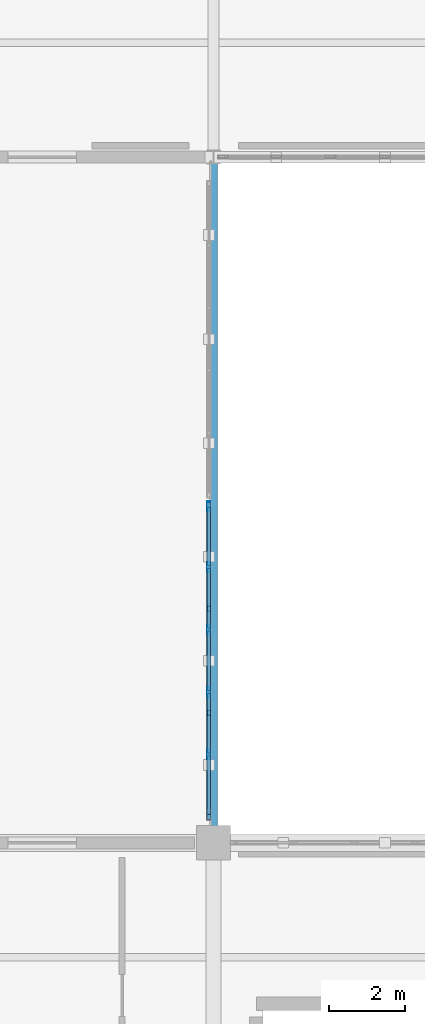
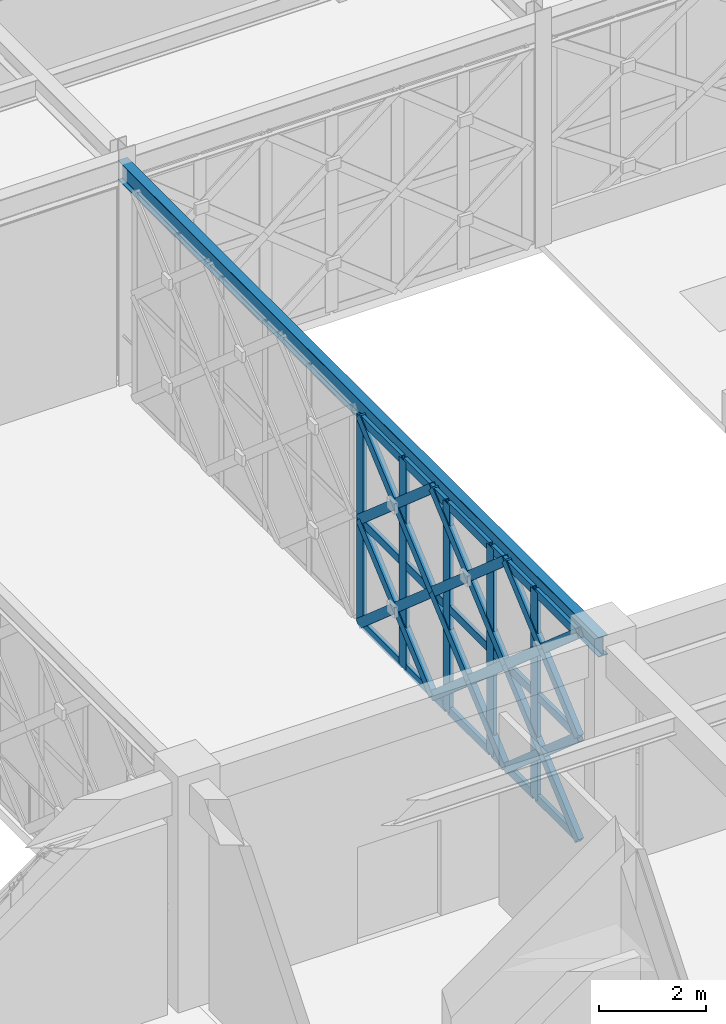
# One storey, part 108 of 166: 38 members, 1 beam, 1 element without a shape of its own.
"""IFC4 building model written with IfcOpenShell, lengths in metres."""

from ifc_helpers import new_model, si_unit, direction, frame, origin, origin_2d, place, context, subcontext, project, spatial, hollow_rectangle, i_section, extrude, material, material_profile, profile_set, type_object, element, aggregate, save


model = new_model("IFC4")

# Units and contexts
model_context = context("Model", 3, precision=1e-05, world=origin(), true_north=direction((0.0, 1.0)))
body_context = subcontext(model_context, "Body", "Model", "MODEL_VIEW")
ifc_project = project(units=[si_unit("LENGTHUNIT", "METRE"), si_unit("AREAUNIT", "SQUARE_METRE"), si_unit("VOLUMEUNIT", "CUBIC_METRE"), si_unit("PLANEANGLEUNIT", "RADIAN"), si_unit("MASSUNIT", "GRAM", prefix="KILO")], contexts=[model_context])

# Site, building, storey
site_placement = place(None, origin())
site = spatial("IfcSite", under=ifc_project, at=site_placement, CompositionType="ELEMENT")
building_placement = place(site_placement, origin())
building = spatial("IfcBuilding", under=site, at=building_placement, Name="Haizhuo Lancet Aquarium", CompositionType="ELEMENT")
storey_placement = place(building_placement, frame((0.0, 0.0, 5.39990234375)))
storey = spatial("IfcBuildingStorey", under=building, at=storey_placement, Name="L01", CompositionType="ELEMENT", Elevation=5.39990234375)

# Curtain wall, members
ifc_material_1 = material(Name="Aluminium 6063-T6", Category="aluminium")
curtain_wall_type = type_object("IfcCurtainWallType", Name="CWO-8200x4750", PredefinedType="NOTDEFINED", material=ifc_material_1)
curtain_wall_placement = place(storey_placement, origin())
curtain_wall = element("IfcCurtainWall", 1, at=curtain_wall_placement, inside=storey, type_object=curtain_wall_type, Name="L01 curtain wall CW-SB-02-E1", PredefinedType="NOTDEFINED")
ifc_material_profile_1 = material_profile(ifc_material_1, hollow_rectangle(XDim=0.080078125, YDim=0.260009765625, WallThickness=0.0048828125, at=origin_2d()), Name="ALU-M 80x260x5")
ifc_profile_set_1 = profile_set([ifc_material_profile_1], Name="Aluminium 6063-T6")
member_type_1 = type_object("IfcMemberType", Name="CW-MUL-3", PredefinedType="MULLION", material=ifc_profile_set_1)
member_1_placement = place(storey_placement, frame((62.8798828125, -0.159912109375, 0.0), z_axis=(0.0, 0.0, 1.0), x_axis=(1.0, 0.0, 0.0)))
member_1 = element("IfcMember", 2, at=member_1_placement, type_object=member_type_1, Name="CWO-82x47 mullion 1", PredefinedType="MULLION", context=body_context, shape_type="SweptSolid", body=[
    extrude(hollow_rectangle(XDim=0.080078125, YDim=0.260009765625, WallThickness=0.0048828125, at=origin_2d()), origin(), (0.0, 0.0, 1.0), 4.75),
])
member_2_placement = place(storey_placement, frame((62.8798828125, -1.760009765625, 0.0), z_axis=(0.0, 0.0, 1.0), x_axis=(1.0, 0.0, 0.0)))
member_2 = element("IfcMember", 3, at=member_2_placement, type_object=member_type_1, Name="CWO-82x47 mullion 2", PredefinedType="MULLION", context=body_context, shape_type="SweptSolid", body=[
    extrude(hollow_rectangle(XDim=0.080078125, YDim=0.260009765625, WallThickness=0.0048828125, at=origin_2d()), origin(), (0.0, 0.0, 1.0), 4.75),
])
member_3_placement = place(storey_placement, frame((62.8798828125, -3.39990234375, 0.0), z_axis=(0.0, 0.0, 1.0), x_axis=(1.0, 0.0, 0.0)))
member_3 = element("IfcMember", 4, at=member_3_placement, type_object=member_type_1, Name="CWO-82x47 mullion 3", PredefinedType="MULLION", context=body_context, shape_type="SweptSolid", body=[
    extrude(hollow_rectangle(XDim=0.080078125, YDim=0.260009765625, WallThickness=0.0048828125, at=origin_2d()), origin(), (0.0, 0.0, 1.0), 4.75),
])
member_4_placement = place(storey_placement, frame((62.8798828125, -5.0400390625, 0.0), z_axis=(0.0, 0.0, 1.0), x_axis=(1.0, 0.0, 0.0)))
member_4 = element("IfcMember", 5, at=member_4_placement, type_object=member_type_1, Name="CWO-82x47 mullion 4", PredefinedType="MULLION", context=body_context, shape_type="SweptSolid", body=[
    extrude(hollow_rectangle(XDim=0.080078125, YDim=0.260009765625, WallThickness=0.0048828125, at=origin_2d()), origin(), (0.0, 0.0, 1.0), 4.75),
])
member_5_placement = place(storey_placement, frame((62.8798828125, -6.679931640625, 0.0), z_axis=(0.0, 0.0, 1.0), x_axis=(1.0, 0.0, 0.0)))
member_5 = element("IfcMember", 6, at=member_5_placement, type_object=member_type_1, Name="CWO-82x47 mullion 5", PredefinedType="MULLION", context=body_context, shape_type="SweptSolid", body=[
    extrude(hollow_rectangle(XDim=0.080078125, YDim=0.260009765625, WallThickness=0.0048828125, at=origin_2d()), origin(), (0.0, 0.0, 1.0), 4.75),
])
ifc_material_profile_2 = material_profile(ifc_material_1, hollow_rectangle(XDim=0.080078125, YDim=0.18994140625, WallThickness=0.0048828125, at=origin_2d()), Name="ALU-T 80x190x5")
ifc_profile_set_2 = profile_set([ifc_material_profile_2], Name="Aluminium 6063-T6")
member_type_2 = type_object("IfcMemberType", Name="CW-TRN-3", PredefinedType="NOTDEFINED", material=ifc_profile_set_2)
member_6_placement = place(storey_placement, frame((62.8798828125, -0.199951171875, 0.0400390625), z_axis=(0.0, -1.0, 0.0), x_axis=(1.0, 0.0, 0.0)))
member_6 = element("IfcMember", 7, at=member_6_placement, type_object=member_type_2, Name="CWO-82x47 transom 1.1", ObjectType="TRANSOM", PredefinedType="USERDEFINED", context=body_context, shape_type="SweptSolid", body=[
    extrude(hollow_rectangle(XDim=0.080078125, YDim=0.18994140625, WallThickness=0.0048828125, at=origin_2d()), origin(), (0.0, 0.0, 1.0), 1.52001953125),
])
member_7_placement = place(storey_placement, frame((62.8798828125, -0.199951171875, 2.375), z_axis=(0.0, -1.0, 0.0), x_axis=(1.0, 0.0, 0.0)))
member_7 = element("IfcMember", 8, at=member_7_placement, type_object=member_type_2, Name="CWO-82x47 transom 1.2", ObjectType="TRANSOM", PredefinedType="USERDEFINED", context=body_context, shape_type="SweptSolid", body=[
    extrude(hollow_rectangle(XDim=0.080078125, YDim=0.18994140625, WallThickness=0.0048828125, at=origin_2d()), origin(), (0.0, 0.0, 1.0), 1.52001953125),
])
member_8_placement = place(storey_placement, frame((62.8798828125, -0.199951171875, 4.710205078125), z_axis=(0.0, -1.0, 0.0), x_axis=(1.0, 0.0, 0.0)))
member_8 = element("IfcMember", 9, at=member_8_placement, type_object=member_type_2, Name="CWO-82x47 transom 1.3", ObjectType="TRANSOM", PredefinedType="USERDEFINED", context=body_context, shape_type="SweptSolid", body=[
    extrude(hollow_rectangle(XDim=0.080078125, YDim=0.18994140625, WallThickness=0.0048828125, at=origin_2d()), origin(), (0.0, 0.0, 1.0), 1.52001953125),
])
member_9_placement = place(storey_placement, frame((62.8798828125, -1.800048828125, 0.0400390625), z_axis=(0.0, -1.0, 0.0), x_axis=(1.0, 0.0, 0.0)))
member_9 = element("IfcMember", 10, at=member_9_placement, type_object=member_type_2, Name="CWO-82x47 transom 2.1", ObjectType="TRANSOM", PredefinedType="USERDEFINED", context=body_context, shape_type="SweptSolid", body=[
    extrude(hollow_rectangle(XDim=0.080078125, YDim=0.18994140625, WallThickness=0.0048828125, at=origin_2d()), origin(), (0.0, 0.0, 1.0), 1.56005859375),
])
member_10_placement = place(storey_placement, frame((62.8798828125, -1.800048828125, 2.375), z_axis=(0.0, -1.0, 0.0), x_axis=(1.0, 0.0, 0.0)))
member_10 = element("IfcMember", 11, at=member_10_placement, type_object=member_type_2, Name="CWO-82x47 transom 2.2", ObjectType="TRANSOM", PredefinedType="USERDEFINED", context=body_context, shape_type="SweptSolid", body=[
    extrude(hollow_rectangle(XDim=0.080078125, YDim=0.18994140625, WallThickness=0.0048828125, at=origin_2d()), origin(), (0.0, 0.0, 1.0), 1.56005859375),
])
member_11_placement = place(storey_placement, frame((62.8798828125, -1.800048828125, 4.710205078125), z_axis=(0.0, -1.0, 0.0), x_axis=(1.0, 0.0, 0.0)))
member_11 = element("IfcMember", 12, at=member_11_placement, type_object=member_type_2, Name="CWO-82x47 transom 2.3", ObjectType="TRANSOM", PredefinedType="USERDEFINED", context=body_context, shape_type="SweptSolid", body=[
    extrude(hollow_rectangle(XDim=0.080078125, YDim=0.18994140625, WallThickness=0.0048828125, at=origin_2d()), origin(), (0.0, 0.0, 1.0), 1.56005859375),
])
member_12_placement = place(storey_placement, frame((62.8798828125, -3.43994140625, 0.0400390625), z_axis=(0.0, -1.0, 0.0), x_axis=(1.0, 0.0, 0.0)))
member_12 = element("IfcMember", 13, at=member_12_placement, type_object=member_type_2, Name="CWO-82x47 transom 3.1", ObjectType="TRANSOM", PredefinedType="USERDEFINED", context=body_context, shape_type="SweptSolid", body=[
    extrude(hollow_rectangle(XDim=0.080078125, YDim=0.18994140625, WallThickness=0.0048828125, at=origin_2d()), origin(), (0.0, 0.0, 1.0), 1.56005859375),
])
member_13_placement = place(storey_placement, frame((62.8798828125, -3.43994140625, 2.375), z_axis=(0.0, -1.0, 0.0), x_axis=(1.0, 0.0, 0.0)))
member_13 = element("IfcMember", 14, at=member_13_placement, type_object=member_type_2, Name="CWO-82x47 transom 3.2", ObjectType="TRANSOM", PredefinedType="USERDEFINED", context=body_context, shape_type="SweptSolid", body=[
    extrude(hollow_rectangle(XDim=0.080078125, YDim=0.18994140625, WallThickness=0.0048828125, at=origin_2d()), origin(), (0.0, 0.0, 1.0), 1.56005859375),
])
member_14_placement = place(storey_placement, frame((62.8798828125, -3.43994140625, 4.710205078125), z_axis=(0.0, -1.0, 0.0), x_axis=(1.0, 0.0, 0.0)))
member_14 = element("IfcMember", 15, at=member_14_placement, type_object=member_type_2, Name="CWO-82x47 transom 3.3", ObjectType="TRANSOM", PredefinedType="USERDEFINED", context=body_context, shape_type="SweptSolid", body=[
    extrude(hollow_rectangle(XDim=0.080078125, YDim=0.18994140625, WallThickness=0.0048828125, at=origin_2d()), origin(), (0.0, 0.0, 1.0), 1.56005859375),
])
member_15_placement = place(storey_placement, frame((62.8798828125, -5.080078125, 0.0400390625), z_axis=(0.0, -1.0, 0.0), x_axis=(1.0, 0.0, 0.0)))
member_15 = element("IfcMember", 16, at=member_15_placement, type_object=member_type_2, Name="CWO-82x47 transom 4.1", ObjectType="TRANSOM", PredefinedType="USERDEFINED", context=body_context, shape_type="SweptSolid", body=[
    extrude(hollow_rectangle(XDim=0.080078125, YDim=0.18994140625, WallThickness=0.0048828125, at=origin_2d()), origin(), (0.0, 0.0, 1.0), 1.559814453125),
])
member_16_placement = place(storey_placement, frame((62.8798828125, -5.080078125, 2.375), z_axis=(0.0, -1.0, 0.0), x_axis=(1.0, 0.0, 0.0)))
member_16 = element("IfcMember", 17, at=member_16_placement, type_object=member_type_2, Name="CWO-82x47 transom 4.2", ObjectType="TRANSOM", PredefinedType="USERDEFINED", context=body_context, shape_type="SweptSolid", body=[
    extrude(hollow_rectangle(XDim=0.080078125, YDim=0.18994140625, WallThickness=0.0048828125, at=origin_2d()), origin(), (0.0, 0.0, 1.0), 1.559814453125),
])
member_17_placement = place(storey_placement, frame((62.8798828125, -5.080078125, 4.710205078125), z_axis=(0.0, -1.0, 0.0), x_axis=(1.0, 0.0, 0.0)))
member_17 = element("IfcMember", 18, at=member_17_placement, type_object=member_type_2, Name="CWO-82x47 transom 4.3", ObjectType="TRANSOM", PredefinedType="USERDEFINED", context=body_context, shape_type="SweptSolid", body=[
    extrude(hollow_rectangle(XDim=0.080078125, YDim=0.18994140625, WallThickness=0.0048828125, at=origin_2d()), origin(), (0.0, 0.0, 1.0), 1.559814453125),
])
member_18_placement = place(storey_placement, frame((62.8798828125, -6.719970703125, 0.0400390625), z_axis=(0.0, -1.0, 0.0), x_axis=(1.0, 0.0, 0.0)))
member_18 = element("IfcMember", 19, at=member_18_placement, type_object=member_type_2, Name="CWO-82x47 transom 5.1", ObjectType="TRANSOM", PredefinedType="USERDEFINED", context=body_context, shape_type="SweptSolid", body=[
    extrude(hollow_rectangle(XDim=0.080078125, YDim=0.18994140625, WallThickness=0.0048828125, at=origin_2d()), origin(), (0.0, 0.0, 1.0), 1.52001953125),
])
member_19_placement = place(storey_placement, frame((62.8798828125, -6.719970703125, 2.375), z_axis=(0.0, -1.0, 0.0), x_axis=(1.0, 0.0, 0.0)))
member_19 = element("IfcMember", 20, at=member_19_placement, type_object=member_type_2, Name="CWO-82x47 transom 5.2", ObjectType="TRANSOM", PredefinedType="USERDEFINED", context=body_context, shape_type="SweptSolid", body=[
    extrude(hollow_rectangle(XDim=0.080078125, YDim=0.18994140625, WallThickness=0.0048828125, at=origin_2d()), origin(), (0.0, 0.0, 1.0), 1.52001953125),
])
member_20_placement = place(storey_placement, frame((62.8798828125, -6.719970703125, 4.710205078125), z_axis=(0.0, -1.0, 0.0), x_axis=(1.0, 0.0, 0.0)))
member_20 = element("IfcMember", 21, at=member_20_placement, type_object=member_type_2, Name="CWO-82x47 transom 5.3", ObjectType="TRANSOM", PredefinedType="USERDEFINED", context=body_context, shape_type="SweptSolid", body=[
    extrude(hollow_rectangle(XDim=0.080078125, YDim=0.18994140625, WallThickness=0.0048828125, at=origin_2d()), origin(), (0.0, 0.0, 1.0), 1.52001953125),
])
aggregate(curtain_wall, [member_1, member_2, member_3, member_4, member_5, member_6, member_7, member_8, member_9, member_10, member_11, member_12, member_13, member_14, member_15, member_16, member_17, member_18, member_19, member_20])

# Beam
ifc_material_2 = material(Name="Steel S355", Category="steel")
ifc_material_profile_3 = material_profile(ifc_material_2, i_section(OverallWidth=0.199951171875, OverallDepth=0.449951171875, WebThickness=0.009033203125, FlangeThickness=0.013916015625, FilletRadius=0.01806640625, at=origin_2d()), Name="HN 450x200x9x14")
ifc_profile_set_3 = profile_set([ifc_material_profile_3], Name="Steel S355")
beam_type = type_object("IfcBeamType", Name="JST-ST-HN450", PredefinedType="JOIST", material=ifc_profile_set_3)
beam_placement = place(storey_placement, frame((63.0, -9.0, 4.815185546875), z_axis=(0.0, 1.0, 0.0), x_axis=(-1.0, 0.0, 0.0)))
element("IfcBeam", 22, at=beam_placement, inside=storey, type_object=beam_type, Name="Bridge roof longitudinal girder SB-02 2", PredefinedType="JOIST", context=body_context, shape_type="SweptSolid", body=[
    extrude(i_section(OverallWidth=0.199951171875, OverallDepth=0.449951171875, WebThickness=0.009033203125, FlangeThickness=0.013916015625, FilletRadius=0.01806640625, at=origin_2d()), origin(), (0.0, 0.0, 1.0), 18.0),
])

# Members
ifc_material_profile_4 = material_profile(ifc_material_2, hollow_rectangle(XDim=0.1201171875, YDim=0.199951171875, WallThickness=0.008056640625, at=origin_2d()), Name="RHS 120x200x8")
ifc_profile_set_4 = profile_set([ifc_material_profile_4], Name="Steel S355")
member_type_3 = type_object("IfcMemberType", Name="MEM-LB-RHS120x200", PredefinedType="BRACE", material=ifc_profile_set_4)
member_21_placement = place(storey_placement, frame((62.8798828125, -0.1201171875, 0.0), z_axis=(0.0, -0.754802912694, 0.655951646837), x_axis=(1.0, 0.0, 0.0)))
element("IfcMember", 23, at=member_21_placement, inside=storey, type_object=member_type_3, Name="Gothic lancet continuous diagonal brace CW-SB-02-E1 1A", PredefinedType="BRACE", context=body_context, shape_type="SweptSolid", body=[
    extrude(hollow_rectangle(XDim=0.1201171875, YDim=0.199951171875, WallThickness=0.008056640625, at=origin_2d()), origin(), (0.0, 0.0, 1.0), 3.62060546875),
])
for number, where, z_axis, x_axis, name in (
    (24, (62.8798828125, -2.85302734375, 0.0), (0.0, 0.754553258905, 0.656238812839), (-1.0, 0.0, 0.0), "Gothic lancet split diagonal brace CW-SB-02-E1 1B1"),
    (25, (62.8798828125, -1.487060546875, 1.18798828125), (0.0, 0.755052443892, 0.655664401179), (-1.0, 0.0, 0.0), "Gothic lancet split diagonal brace CW-SB-02-E1 1B2"),
):
    element("IfcMember", number, at=place(storey_placement, frame(where, z_axis=z_axis, x_axis=x_axis)), inside=storey, type_object=member_type_3, Name=name, PredefinedType="BRACE", context=body_context, shape_type="SweptSolid", body=[
        extrude(hollow_rectangle(XDim=0.1201171875, YDim=0.199951171875, WallThickness=0.008056640625, at=origin_2d()), origin(), (0.0, 0.0, 1.0), 1.810302734375),
    ])
member_22_placement = place(storey_placement, frame((62.8798828125, -0.1201171875, 2.375), z_axis=(0.0, -0.754802912694, 0.655951646837), x_axis=(1.0, 0.0, 0.0)))
element("IfcMember", 26, at=member_22_placement, inside=storey, type_object=member_type_3, Name="Gothic lancet continuous diagonal brace CW-SB-02-E1 2A", PredefinedType="BRACE", context=body_context, shape_type="SweptSolid", body=[
    extrude(hollow_rectangle(XDim=0.1201171875, YDim=0.199951171875, WallThickness=0.008056640625, at=origin_2d()), origin(), (0.0, 0.0, 1.0), 3.62060546875),
])
for number, where, z_axis, x_axis, name in (
    (27, (62.8798828125, -2.85302734375, 2.375), (0.0, 0.754553258905, 0.656238812839), (-1.0, 0.0, 0.0), "Gothic lancet split diagonal brace CW-SB-02-E1 2B1"),
    (28, (62.8798828125, -1.487060546875, 3.56298828125), (0.0, 0.755052443892, 0.655664401179), (-1.0, 0.0, 0.0), "Gothic lancet split diagonal brace CW-SB-02-E1 2B2"),
):
    element("IfcMember", number, at=place(storey_placement, frame(where, z_axis=z_axis, x_axis=x_axis)), inside=storey, type_object=member_type_3, Name=name, PredefinedType="BRACE", context=body_context, shape_type="SweptSolid", body=[
        extrude(hollow_rectangle(XDim=0.1201171875, YDim=0.199951171875, WallThickness=0.008056640625, at=origin_2d()), origin(), (0.0, 0.0, 1.0), 1.810302734375),
    ])
member_23_placement = place(storey_placement, frame((62.8798828125, -2.85302734375, 0.0), z_axis=(0.0, -0.754918929071, 0.655818123058), x_axis=(1.0, 0.0, 0.0)))
element("IfcMember", 29, at=member_23_placement, inside=storey, type_object=member_type_3, Name="Gothic lancet continuous diagonal brace CW-SB-02-E1 3A", PredefinedType="BRACE", context=body_context, shape_type="SweptSolid", body=[
    extrude(hollow_rectangle(XDim=0.1201171875, YDim=0.199951171875, WallThickness=0.008056640625, at=origin_2d()), origin(), (0.0, 0.0, 1.0), 3.621337890625),
])
member_24_placement = place(storey_placement, frame((62.8798828125, -5.5869140625, 0.0), z_axis=(0.0, 0.754785430186, 0.655971763401), x_axis=(-1.0, 0.0, 0.0)))
element("IfcMember", 30, at=member_24_placement, inside=storey, type_object=member_type_3, Name="Gothic lancet split diagonal brace CW-SB-02-E1 3B1", PredefinedType="BRACE", context=body_context, shape_type="SweptSolid", body=[
    extrude(hollow_rectangle(XDim=0.1201171875, YDim=0.199951171875, WallThickness=0.008056640625, at=origin_2d()), origin(), (0.0, 0.0, 1.0), 1.81103515625),
])
member_25_placement = place(storey_placement, frame((62.8798828125, -4.219970703125, 1.18798828125), z_axis=(0.0, 0.755052443892, 0.655664401179), x_axis=(-1.0, 0.0, 0.0)))
element("IfcMember", 31, at=member_25_placement, inside=storey, type_object=member_type_3, Name="Gothic lancet split diagonal brace CW-SB-02-E1 3B2", PredefinedType="BRACE", context=body_context, shape_type="SweptSolid", body=[
    extrude(hollow_rectangle(XDim=0.1201171875, YDim=0.199951171875, WallThickness=0.008056640625, at=origin_2d()), origin(), (0.0, 0.0, 1.0), 1.810302734375),
])
member_26_placement = place(storey_placement, frame((62.8798828125, -2.85302734375, 2.375), z_axis=(0.0, -0.754918929071, 0.655818123058), x_axis=(1.0, 0.0, 0.0)))
element("IfcMember", 32, at=member_26_placement, inside=storey, type_object=member_type_3, Name="Gothic lancet continuous diagonal brace CW-SB-02-E1 4A", PredefinedType="BRACE", context=body_context, shape_type="SweptSolid", body=[
    extrude(hollow_rectangle(XDim=0.1201171875, YDim=0.199951171875, WallThickness=0.008056640625, at=origin_2d()), origin(), (0.0, 0.0, 1.0), 3.621337890625),
])
member_27_placement = place(storey_placement, frame((62.8798828125, -5.5869140625, 2.375), z_axis=(0.0, 0.754785430186, 0.655971763401), x_axis=(-1.0, 0.0, 0.0)))
element("IfcMember", 33, at=member_27_placement, inside=storey, type_object=member_type_3, Name="Gothic lancet split diagonal brace CW-SB-02-E1 4B1", PredefinedType="BRACE", context=body_context, shape_type="SweptSolid", body=[
    extrude(hollow_rectangle(XDim=0.1201171875, YDim=0.199951171875, WallThickness=0.008056640625, at=origin_2d()), origin(), (0.0, 0.0, 1.0), 1.81103515625),
])
member_28_placement = place(storey_placement, frame((62.8798828125, -4.219970703125, 3.56298828125), z_axis=(0.0, 0.755052443892, 0.655664401179), x_axis=(-1.0, 0.0, 0.0)))
element("IfcMember", 34, at=member_28_placement, inside=storey, type_object=member_type_3, Name="Gothic lancet split diagonal brace CW-SB-02-E1 4B2", PredefinedType="BRACE", context=body_context, shape_type="SweptSolid", body=[
    extrude(hollow_rectangle(XDim=0.1201171875, YDim=0.199951171875, WallThickness=0.008056640625, at=origin_2d()), origin(), (0.0, 0.0, 1.0), 1.810302734375),
])
member_29_placement = place(storey_placement, frame((62.8798828125, -5.5869140625, 0.0), z_axis=(0.0, -0.754831923432, 0.655918262719), x_axis=(1.0, 0.0, 0.0)))
element("IfcMember", 35, at=member_29_placement, inside=storey, type_object=member_type_3, Name="Gothic lancet continuous diagonal brace CW-SB-02-E1 5A", PredefinedType="BRACE", context=body_context, shape_type="SweptSolid", body=[
    extrude(hollow_rectangle(XDim=0.1201171875, YDim=0.199951171875, WallThickness=0.008056640625, at=origin_2d()), origin(), (0.0, 0.0, 1.0), 3.620849609375),
])
member_30_placement = place(storey_placement, frame((62.8798828125, -8.320068359375, 0.0), z_axis=(0.0, 0.754553258905, 0.656238812839), x_axis=(-1.0, 0.0, 0.0)))
element("IfcMember", 36, at=member_30_placement, inside=storey, type_object=member_type_3, Name="Gothic lancet split diagonal brace CW-SB-02-E1 5B1", PredefinedType="BRACE", context=body_context, shape_type="SweptSolid", body=[
    extrude(hollow_rectangle(XDim=0.1201171875, YDim=0.199951171875, WallThickness=0.008056640625, at=origin_2d()), origin(), (0.0, 0.0, 1.0), 1.810302734375),
])
member_31_placement = place(storey_placement, frame((62.8798828125, -6.9541015625, 1.18798828125), z_axis=(0.0, 0.755110408583, 0.655597644024), x_axis=(-1.0, 0.0, 0.0)))
element("IfcMember", 37, at=member_31_placement, inside=storey, type_object=member_type_3, Name="Gothic lancet split diagonal brace CW-SB-02-E1 5B2", PredefinedType="BRACE", context=body_context, shape_type="SweptSolid", body=[
    extrude(hollow_rectangle(XDim=0.1201171875, YDim=0.199951171875, WallThickness=0.008056640625, at=origin_2d()), origin(), (0.0, 0.0, 1.0), 1.810546875),
])
member_32_placement = place(storey_placement, frame((62.8798828125, -5.5869140625, 2.375), z_axis=(0.0, -0.754831923432, 0.655918262719), x_axis=(1.0, 0.0, 0.0)))
element("IfcMember", 38, at=member_32_placement, inside=storey, type_object=member_type_3, Name="Gothic lancet continuous diagonal brace CW-SB-02-E1 6A", PredefinedType="BRACE", context=body_context, shape_type="SweptSolid", body=[
    extrude(hollow_rectangle(XDim=0.1201171875, YDim=0.199951171875, WallThickness=0.008056640625, at=origin_2d()), origin(), (0.0, 0.0, 1.0), 3.620849609375),
])
member_33_placement = place(storey_placement, frame((62.8798828125, -8.320068359375, 2.375), z_axis=(0.0, 0.754553258905, 0.656238812839), x_axis=(-1.0, 0.0, 0.0)))
element("IfcMember", 39, at=member_33_placement, inside=storey, type_object=member_type_3, Name="Gothic lancet split diagonal brace CW-SB-02-E1 6B1", PredefinedType="BRACE", context=body_context, shape_type="SweptSolid", body=[
    extrude(hollow_rectangle(XDim=0.1201171875, YDim=0.199951171875, WallThickness=0.008056640625, at=origin_2d()), origin(), (0.0, 0.0, 1.0), 1.810302734375),
])
member_34_placement = place(storey_placement, frame((62.8798828125, -6.9541015625, 3.56298828125), z_axis=(0.0, 0.755110408583, 0.655597644024), x_axis=(-1.0, 0.0, 0.0)))
element("IfcMember", 40, at=member_34_placement, inside=storey, type_object=member_type_3, Name="Gothic lancet split diagonal brace CW-SB-02-E1 6B2", PredefinedType="BRACE", context=body_context, shape_type="SweptSolid", body=[
    extrude(hollow_rectangle(XDim=0.1201171875, YDim=0.199951171875, WallThickness=0.008056640625, at=origin_2d()), origin(), (0.0, 0.0, 1.0), 1.810546875),
])

save(model, "model.ifc")
